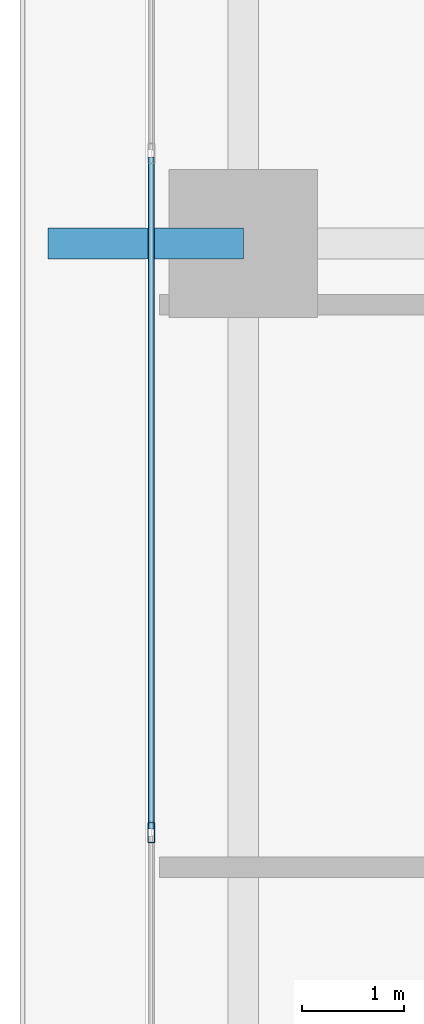
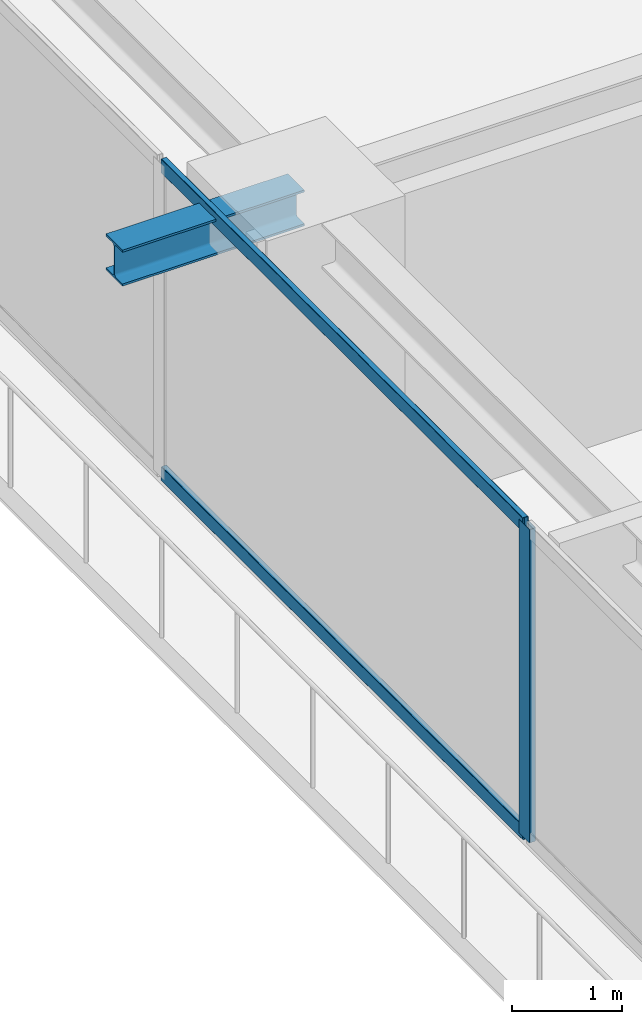
# One storey, part 7 of 39: 3 members, 1 beam, 1 element without a shape of its own.
"""IFC4 building model written with IfcOpenShell, lengths in metres."""

from ifc_helpers import new_model, si_unit, direction, frame, origin, origin_2d, place, context, subcontext, project, spatial, hollow_rectangle, i_section, extrude, source, transform, mapped, material, layer, layer_set, material_profile, profile_set, type_object, element, aggregate, save


model = new_model("IFC4")

# Units and contexts
model_context = context("Model", 3, precision=1e-05, world=origin(), true_north=direction((0.0, 1.0)))
body_context = subcontext(model_context, "Body", "Model", "MODEL_VIEW")
ifc_project = project(units=[si_unit("LENGTHUNIT", "METRE"), si_unit("AREAUNIT", "SQUARE_METRE"), si_unit("VOLUMEUNIT", "CUBIC_METRE"), si_unit("PLANEANGLEUNIT", "RADIAN"), si_unit("MASSUNIT", "GRAM", prefix="KILO")], contexts=[model_context])

# Site, building, storey
site_placement = place(None, origin())
site = spatial("IfcSite", under=ifc_project, at=site_placement, CompositionType="ELEMENT")
building_placement = place(site_placement, origin())
building = spatial("IfcBuilding", under=site, at=building_placement, Name="Serunith Strait Residences", CompositionType="ELEMENT")
storey_placement = place(building_placement, frame((0.0, 0.0, 79.199951171875)))
storey = spatial("IfcBuildingStorey", under=building, at=storey_placement, Name="L19", CompositionType="ELEMENT", Elevation=79.199951171875)

# Beam
ifc_material_1 = material(Name="Steel S355J2", Category="steel")
ifc_material_profile_1 = material_profile(ifc_material_1, i_section(OverallWidth=0.300048828125, OverallDepth=0.39990234375, WebThickness=0.013427734375, FlangeThickness=0.02392578125, FilletRadius=0.027099609375, at=origin_2d()), Name="HEB 400")
ifc_profile_set_1 = profile_set([ifc_material_profile_1], Name="Steel S355J2")
beam_type = type_object("IfcBeamType", Name="BM-HEB400", PredefinedType="BEAM", material=ifc_profile_set_1)
shared_shape_1 = source(origin(), body_context, "Body", "SweptSolid", [
    extrude(i_section(OverallWidth=0.300048828125, OverallDepth=0.39990234375, WebThickness=0.013427734375, FlangeThickness=0.02392578125, FilletRadius=0.027099609375, at=origin_2d()), origin(), (0.0, 0.0, 1.0), 1.909912109375),
])
beam_placement = place(storey_placement, frame((6.89990234375, 21.0, 3.257080078125), z_axis=(-1.0, 0.0, 0.0), x_axis=(0.0, -1.0, 0.0)))
element("IfcBeam", 1, at=beam_placement, inside=storey, type_object=beam_type, Name="L20 Cantilevered Balcony Rib TC-W2", PredefinedType="BEAM", context=body_context, shape_type="MappedRepresentation", body=[
    mapped(shared_shape_1, transform((0.0, 0.0, 0.0), scale=1.0)),
])

# Curtain wall, members
ifc_material_2 = material(Name="Pale-Champagne Anodised Aluminium", Category="aluminium")
ifc_layer = layer(ifc_material_2, 0.199951171875, Name="Pale-Champagne Anodised Aluminium")
ifc_layer_set = layer_set([ifc_layer], Name="Pale-Champagne Anodised Aluminium")
curtain_wall_type = type_object("IfcCurtainWallType", Name="CW-SYS1", PredefinedType="NOTDEFINED", material=ifc_layer_set)
curtain_wall_placement = place(storey_placement, origin())
curtain_wall = element("IfcCurtainWall", 2, at=curtain_wall_placement, inside=storey, type_object=curtain_wall_type, Name="L19 W Unitised Fritted Curtain Wall", PredefinedType="NOTDEFINED")
ifc_material_profile_2 = material_profile(ifc_material_2, hollow_rectangle(XDim=0.070068359375, YDim=0.199951171875, WallThickness=0.00390625, InnerFilletRadius=0.006103515625, OuterFilletRadius=0.010009765625, at=origin_2d()), Name="ALU 200x70x4")
ifc_profile_set_2 = profile_set([ifc_material_profile_2], Name="Pale-Champagne Anodised Aluminium")
member_type_1 = type_object("IfcMemberType", Name="CW-SYS1-MULL", PredefinedType="MULLION", material=ifc_profile_set_2)
shared_shape_2 = source(origin(), body_context, "Body", "SweptSolid", [
    extrude(hollow_rectangle(XDim=0.070068359375, YDim=0.199951171875, WallThickness=0.00390625, InnerFilletRadius=0.006103515625, OuterFilletRadius=0.010009765625, at=origin_2d()), origin(), (0.0, 0.0, 1.0), 3.47509765625),
])
member_1_placement = place(storey_placement, frame((6.0, 15.239990234375, 0.0), z_axis=(0.0, 0.0, 1.0), x_axis=(1.0, 0.0, 0.0)))
member_1 = element("IfcMember", 3, at=member_1_placement, type_object=member_type_1, Name="CW-1 mullion 5", PredefinedType="MULLION", context=body_context, shape_type="MappedRepresentation", body=[
    mapped(shared_shape_2, transform((0.0, 0.0, 0.0), scale=1.0)),
])
ifc_material_profile_3 = material_profile(ifc_material_2, hollow_rectangle(XDim=0.06005859375, YDim=0.159912109375, WallThickness=0.00341796875, InnerFilletRadius=0.00537109375, OuterFilletRadius=0.0087890625, at=origin_2d()), Name="ALU 160x60x3.5")
ifc_profile_set_3 = profile_set([ifc_material_profile_3], Name="Pale-Champagne Anodised Aluminium")
member_type_2 = type_object("IfcMemberType", Name="CW-SYS1-TRAN", PredefinedType="USERDEFINED", material=ifc_profile_set_3)
shared_shape_3 = source(origin(), body_context, "Body", "SweptSolid", [
    extrude(hollow_rectangle(XDim=0.06005859375, YDim=0.159912109375, WallThickness=0.00341796875, InnerFilletRadius=0.00537109375, OuterFilletRadius=0.0087890625, at=origin_2d()), origin(), (0.0, 0.0, 1.0), 6.570068359375),
])
member_2_placement = place(storey_placement, frame((6.0, 21.844970703125, 0.030029296875), z_axis=(0.0, -1.0, 0.0), x_axis=(1.0, 0.0, 0.0)))
member_2 = element("IfcMember", 4, at=member_2_placement, type_object=member_type_2, Name="CW-1 transom 4.1", ObjectType="TRANSOM", PredefinedType="USERDEFINED", context=body_context, shape_type="MappedRepresentation", body=[
    mapped(shared_shape_3, transform((0.0, 0.0, 0.0), scale=1.0)),
])
member_3_placement = place(storey_placement, frame((6.0, 21.844970703125, 3.445068359375), z_axis=(0.0, -1.0, 0.0), x_axis=(1.0, 0.0, 0.0)))
member_3 = element("IfcMember", 5, at=member_3_placement, type_object=member_type_2, Name="CW-1 transom 4.2", ObjectType="TRANSOM", PredefinedType="USERDEFINED", context=body_context, shape_type="MappedRepresentation", body=[
    mapped(shared_shape_3, transform((0.0, 0.0, 0.0), scale=1.0)),
])
aggregate(curtain_wall, [member_1, member_2, member_3])

save(model, "model.ifc")
